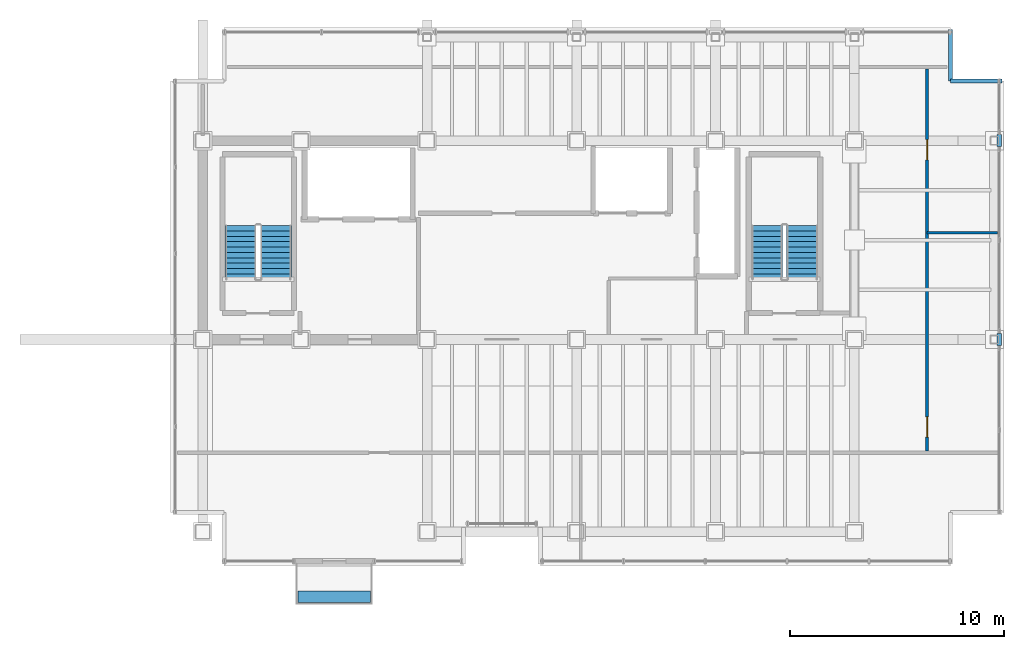
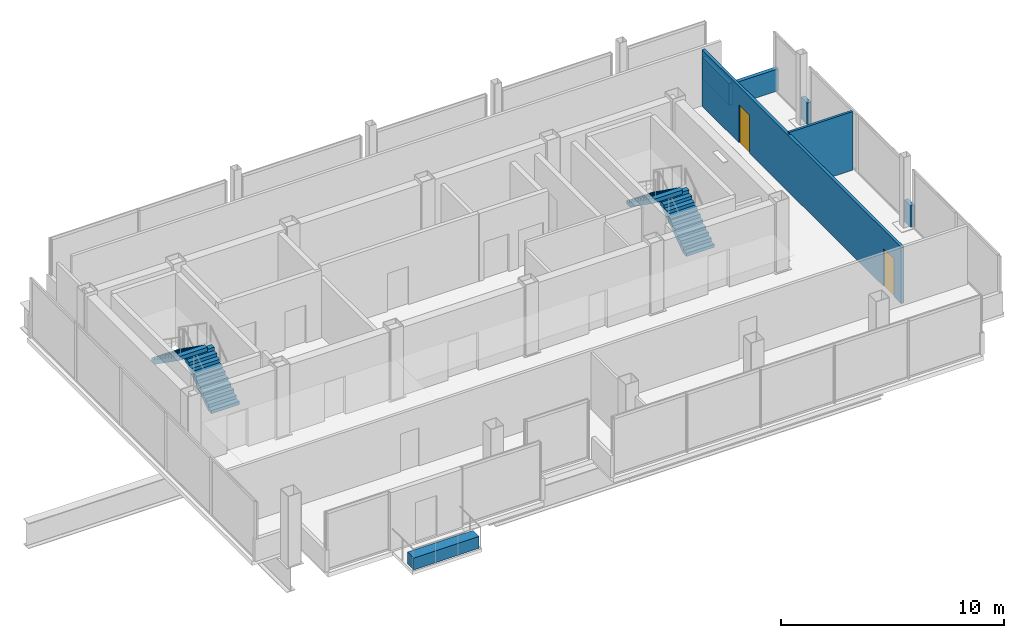
# One storey, part 16 of 17: 6 walls, 4 stair flights, 2 doors, 1 discrete accessory, 2 openings, 2 elements without a shape of their own.
"""IFC4 building model written with IfcOpenShell, lengths in metres."""

from ifc_helpers import new_model, si_unit, direction, frame, frame_2d, origin, origin_2d, place, context, subcontext, project, spatial, polyline, rectangle, outline, extrude, material, layer, layer_set, type_object, element, fill, aggregate, save


model = new_model("IFC4")

# Units and contexts
model_context = context("Model", 3, precision=1e-05, world=origin(), true_north=direction((0.0, 1.0)))
body_context = subcontext(model_context, "Body", "Model", "MODEL_VIEW")
ifc_project = project(units=[si_unit("LENGTHUNIT", "METRE"), si_unit("AREAUNIT", "SQUARE_METRE"), si_unit("VOLUMEUNIT", "CUBIC_METRE"), si_unit("PLANEANGLEUNIT", "RADIAN"), si_unit("MASSUNIT", "GRAM", prefix="KILO")], contexts=[model_context])

# Site, building, storey
site_placement = place(None, origin())
site = spatial("IfcSite", under=ifc_project, at=site_placement, CompositionType="ELEMENT")
building_placement = place(site_placement, origin())
building = spatial("IfcBuilding", under=site, at=building_placement, Name="Noeulbin Bourse Tower", CompositionType="ELEMENT")
storey_placement = place(building_placement, frame((0.0, 0.0, 281.300048828125)))
storey = spatial("IfcBuildingStorey", under=building, at=storey_placement, Name="L70", CompositionType="ELEMENT", Elevation=281.300048828125)

# Walls
ifc_material_1 = material(Name="Concrete C40/50", Category="concrete")
ifc_layer_1 = layer(ifc_material_1, 0.199951171875)
ifc_layer_set_1 = layer_set([ifc_layer_1], Name="Concrete C40/50")
wall_type_1 = type_object("IfcWallType", Name="WAL-PAR-200", PredefinedType="PARAPET", material=ifc_layer_set_1)
for number, where, z_axis, x_axis, name in (
    (1, (50.780029296875, 28.719970703125, 0.0), (0.0, 0.0, 1.0), (0.0, 1.0, 0.0), "Perimeter Pier Spandrel Parapet L70-E5"),
    (2, (50.780029296875, 38.02001953125, 0.0), (0.0, 0.0, 1.0), (0.0, 1.0, 0.0), "Perimeter Pier Spandrel Parapet L70-E6"),
):
    element("IfcWall", number, at=place(storey_placement, frame(where, z_axis=z_axis, x_axis=x_axis)), inside=storey, type_object=wall_type_1, Name=name, PredefinedType="PARAPET", context=body_context, shape_type="SweptSolid", body=[
        extrude(rectangle(XDim=0.56005859375, YDim=0.199951171875, at=frame_2d((0.280029296875, 0.0))), origin(), (0.0, 0.0, 1.0), 1.199951171875),
    ])
for number, where, z_axis, x_axis, name in (
    (3, (48.5, 43.5, 0.0), (0.0, 0.0, 1.0), (0.0, -1.0, 0.0), "Corner Notch Parapet L70-NE1"),
    (4, (48.5, 41.10009765625, 0.0), (0.0, 0.0, 1.0), (1.0, 0.0, 0.0), "Corner Notch Parapet L70-NE2"),
):
    element("IfcWall", number, at=place(storey_placement, frame(where, z_axis=z_axis, x_axis=x_axis)), inside=storey, type_object=wall_type_1, Name=name, PredefinedType="PARAPET", context=body_context, shape_type="SweptSolid", body=[
        extrude(rectangle(XDim=2.39990234375, YDim=0.199951171875, at=frame_2d((1.199951171875, 0.0))), origin(), (0.0, 0.0, 1.0), 1.199951171875),
    ])
ifc_material_2 = material(Name="Steel Stud Gypsum Partition", Category="steel")
ifc_layer_2 = layer(ifc_material_2, 0.1201171875)
ifc_layer_set_2 = layer_set([ifc_layer_2], Name="Steel Stud Gypsum Partition")
wall_type_2 = type_object("IfcWallType", Name="WAL-PRT-120", PredefinedType="PARTITIONING", material=ifc_layer_set_2)
wall_1_placement = place(storey_placement, frame((47.39990234375, 34.0, 0.0), z_axis=(0.0, 0.0, 1.0), x_axis=(1.0, 0.0, 0.0)))
element("IfcWall", 5, at=wall_1_placement, inside=storey, type_object=wall_type_2, Name="Interior Partition Wall L70-05", PredefinedType="PARTITIONING", context=body_context, shape_type="SweptSolid", body=[
    extrude(rectangle(XDim=3.2900390625, YDim=0.1201171875, at=frame_2d((1.64501953125, 0.0))), origin(), (0.0, 0.0, 1.0), 3.2119140625),
])

# Wall, openings, doors
ifc_material_3 = material(Name="Steel Stud Acoustic Gypsum Board", Category="steel")
ifc_layer_3 = layer(ifc_material_3, 0.14990234375)
ifc_layer_set_3 = layer_set([ifc_layer_3], Name="Steel Stud Acoustic Gypsum Board")
wall_type_3 = type_object("IfcWallType", Name="WAL-PRT-150", PredefinedType="PARTITIONING", material=ifc_layer_set_3)
wall_2_placement = place(storey_placement, frame((47.39990234375, 23.784912109375, 0.0), z_axis=(0.0, 0.0, 1.0), x_axis=(0.0, 1.0, 0.0)))
wall_2 = element("IfcWall", 6, at=wall_2_placement, inside=storey, type_object=wall_type_3, Name="Interior Partition Wall L70-12", PredefinedType="PARTITIONING", context=body_context, shape_type="SweptSolid", body=[
    extrude(rectangle(XDim=17.880126953125, YDim=0.14990234375, at=frame_2d((8.93994140625, 0.0))), origin(), (0.0, 0.0, 1.0), 3.099853515625),
])
opening_1_placement = place(wall_2_placement, frame((0.639892578125, 0.0, 0.0)))
opening_1 = element("IfcOpeningElement", 7, at=opening_1_placement, cuts=wall_2, Name="Opening ID-09", PredefinedType="OPENING", context=body_context, shape_type="SweptSolid", body=[
    extrude(rectangle(XDim=0.949951171875, YDim=2.080078125, at=frame_2d((0.47509765625, 1.0400390625))), frame((0.0, 0.0849609375, 0.0), z_axis=(0.0, -1.0, 0.0), x_axis=(1.0, 0.0, 0.0)), (0.0, 0.0, 1.0), 0.169921875),
])
opening_2_placement = place(wall_2_placement, frame((13.614990234375, 0.0, 0.0)))
opening_2 = element("IfcOpeningElement", 8, at=opening_2_placement, cuts=wall_2, Name="Opening ID-09", PredefinedType="OPENING", context=body_context, shape_type="SweptSolid", body=[
    extrude(rectangle(XDim=0.949951171875, YDim=2.080078125, at=frame_2d((0.47509765625, 1.0400390625))), frame((0.0, 0.0849609375, 0.0), z_axis=(0.0, -1.0, 0.0), x_axis=(1.0, 0.0, 0.0)), (0.0, 0.0, 1.0), 0.169921875),
])
ifc_material_4 = material(Name="Acoustic Solid-Core Timber", Category="wood")
door_type = type_object("IfcDoorType", Name="DR-SINGLE-950", OperationType="SINGLE_SWING_LEFT", PredefinedType="DOOR", material=ifc_material_4)
door_1_placement = place(opening_1_placement, origin())
door_1 = element("IfcDoor", 9, at=door_1_placement, inside=storey, type_object=door_type, Name="Interior Door L70-09", OperationType="SINGLE_SWING_LEFT", OverallHeight=2.080078125, OverallWidth=0.949951171875, PredefinedType="DOOR", context=body_context, shape_type="SweptSolid", body=[
    extrude(rectangle(XDim=0.949951171875, YDim=2.080078125, at=frame_2d((0.47509765625, 1.0400390625))), frame((0.0, 0.02490234375, 0.0), z_axis=(0.0, -1.0, 0.0), x_axis=(1.0, 0.0, 0.0)), (0.0, 0.0, 1.0), 0.050048828125),
])
fill(opening_1, door_1)
door_2_placement = place(opening_2_placement, origin())
door_2 = element("IfcDoor", 10, at=door_2_placement, inside=storey, type_object=door_type, Name="Interior Door L70-10", OperationType="SINGLE_SWING_RIGHT", OverallHeight=2.080078125, OverallWidth=0.949951171875, PredefinedType="DOOR", context=body_context, shape_type="SweptSolid", body=[
    extrude(rectangle(XDim=0.949951171875, YDim=2.080078125, at=frame_2d((0.47509765625, 1.0400390625))), frame((0.0, 0.02490234375, 0.0), z_axis=(0.0, -1.0, 0.0), x_axis=(1.0, 0.0, 0.0)), (0.0, 0.0, 1.0), 0.050048828125),
])
fill(opening_2, door_2)

# Stair, stair flights
stair_type = type_object("IfcStairType", Name="STR-CORE-1560", PredefinedType="HALF_TURN_STAIR", material=ifc_material_1)
stair_1_placement = place(storey_placement, origin())
stair_1 = element("IfcStair", 11, at=stair_1_placement, inside=storey, type_object=stair_type, Name="L70 ST-1", PredefinedType="HALF_TURN_STAIR")
stair_flight_type = type_object("IfcStairFlightType", Name="SFL-CORE-1560", PredefinedType="STRAIGHT", material=ifc_material_1)
stair_flight_1_placement = place(storey_placement, frame((16.925048828125, 31.81005859375, 0.0), z_axis=(0.0, 0.0, 1.0), x_axis=(0.0, 1.0, 0.0)))
stair_flight_1 = element("IfcStairFlight", 12, at=stair_flight_1_placement, type_object=stair_flight_type, Name="ST-1 flight 1", NumberOfRisers=11, NumberOfTreads=10, PredefinedType="STRAIGHT", RiserHeight=0.177272727, TreadLength=0.252, context=body_context, shape_type="SweptSolid", body=[
    extrude(outline(polyline([(0.0, 0.0), (0.0, 0.17724609375), (0.251953125, 0.17724609375), (0.251953125, 0.3544921875), (0.50390625, 0.3544921875), (0.50390625, 0.53173828125), (0.756103515625, 0.53173828125), (0.756103515625, 0.708984375), (1.008056640625, 0.708984375), (1.008056640625, 0.886474609375), (1.260009765625, 0.886474609375), (1.260009765625, 1.063720703125), (1.511962890625, 1.063720703125), (1.511962890625, 1.240966796875), (1.763916015625, 1.240966796875), (1.763916015625, 1.418212890625), (2.01611328125, 1.418212890625), (2.01611328125, 1.595458984375), (2.26806640625, 1.595458984375), (2.26806640625, 1.772705078125), (2.52001953125, 1.772705078125), (2.52001953125, 1.949951171875), (2.52001953125, 1.552734375), (0.312744140625, 0.0), (0.0, 0.0)])), frame((0.0, 0.72509765625, 0.0), z_axis=(0.0, -1.0, 0.0), x_axis=(1.0, 0.0, 0.0)), (0.0, 0.0, 1.0), 1.449951171875),
])
stair_flight_2_placement = place(storey_placement, frame((15.27490234375, 34.330078125, 1.949951171875), z_axis=(0.0, 0.0, 1.0), x_axis=(0.0, -1.0, 0.0)))
stair_flight_2 = element("IfcStairFlight", 13, at=stair_flight_2_placement, type_object=stair_flight_type, Name="ST-1 flight 2", NumberOfRisers=11, NumberOfTreads=10, PredefinedType="STRAIGHT", RiserHeight=0.177272727, TreadLength=0.252, context=body_context, shape_type="SweptSolid", body=[
    extrude(outline(polyline([(0.0, 0.0), (0.0, 0.17724609375), (0.251953125, 0.17724609375), (0.251953125, 0.3544921875), (0.50390625, 0.3544921875), (0.50390625, 0.53173828125), (0.756103515625, 0.53173828125), (0.756103515625, 0.708984375), (1.008056640625, 0.708984375), (1.008056640625, 0.886474609375), (1.260009765625, 0.886474609375), (1.260009765625, 1.063720703125), (1.511962890625, 1.063720703125), (1.511962890625, 1.240966796875), (1.763916015625, 1.240966796875), (1.763916015625, 1.418212890625), (2.01611328125, 1.418212890625), (2.01611328125, 1.595458984375), (2.26806640625, 1.595458984375), (2.26806640625, 1.772705078125), (2.52001953125, 1.772705078125), (2.52001953125, 1.949951171875), (2.52001953125, 1.552734375), (0.312744140625, 0.0), (0.0, 0.0)])), frame((0.0, 0.72509765625, 0.0), z_axis=(0.0, -1.0, 0.0), x_axis=(1.0, 0.0, 0.0)), (0.0, 0.0, 1.0), 1.449951171875),
])
aggregate(stair_1, [stair_flight_1, stair_flight_2])

stair_2_placement = place(storey_placement, origin())
stair_2 = element("IfcStair", 14, at=stair_2_placement, inside=storey, type_object=stair_type, Name="L70 ST-2", PredefinedType="HALF_TURN_STAIR")
stair_flight_3_placement = place(storey_placement, frame((41.554931640625, 31.81005859375, 0.0), z_axis=(0.0, 0.0, 1.0), x_axis=(0.0, 1.0, 0.0)))
stair_flight_3 = element("IfcStairFlight", 15, at=stair_flight_3_placement, type_object=stair_flight_type, Name="ST-2 flight 1", NumberOfRisers=11, NumberOfTreads=10, PredefinedType="STRAIGHT", RiserHeight=0.177272727, TreadLength=0.252, context=body_context, shape_type="SweptSolid", body=[
    extrude(outline(polyline([(0.0, 0.0), (0.0, 0.17724609375), (0.251953125, 0.17724609375), (0.251953125, 0.3544921875), (0.50390625, 0.3544921875), (0.50390625, 0.53173828125), (0.756103515625, 0.53173828125), (0.756103515625, 0.708984375), (1.008056640625, 0.708984375), (1.008056640625, 0.886474609375), (1.260009765625, 0.886474609375), (1.260009765625, 1.063720703125), (1.511962890625, 1.063720703125), (1.511962890625, 1.240966796875), (1.763916015625, 1.240966796875), (1.763916015625, 1.418212890625), (2.01611328125, 1.418212890625), (2.01611328125, 1.595458984375), (2.26806640625, 1.595458984375), (2.26806640625, 1.772705078125), (2.52001953125, 1.772705078125), (2.52001953125, 1.949951171875), (2.52001953125, 1.552734375), (0.312744140625, 0.0), (0.0, 0.0)])), frame((0.0, 0.72509765625, 0.0), z_axis=(0.0, -1.0, 0.0), x_axis=(1.0, 0.0, 0.0)), (0.0, 0.0, 1.0), 1.449951171875),
])
stair_flight_4_placement = place(storey_placement, frame((39.905029296875, 34.330078125, 1.949951171875), z_axis=(0.0, 0.0, 1.0), x_axis=(0.0, -1.0, 0.0)))
stair_flight_4 = element("IfcStairFlight", 16, at=stair_flight_4_placement, type_object=stair_flight_type, Name="ST-2 flight 2", NumberOfRisers=11, NumberOfTreads=10, PredefinedType="STRAIGHT", RiserHeight=0.177272727, TreadLength=0.252, context=body_context, shape_type="SweptSolid", body=[
    extrude(outline(polyline([(0.0, 0.0), (0.0, 0.17724609375), (0.251953125, 0.17724609375), (0.251953125, 0.3544921875), (0.50390625, 0.3544921875), (0.50390625, 0.53173828125), (0.756103515625, 0.53173828125), (0.756103515625, 0.708984375), (1.008056640625, 0.708984375), (1.008056640625, 0.886474609375), (1.260009765625, 0.886474609375), (1.260009765625, 1.063720703125), (1.511962890625, 1.063720703125), (1.511962890625, 1.240966796875), (1.763916015625, 1.240966796875), (1.763916015625, 1.418212890625), (2.01611328125, 1.418212890625), (2.01611328125, 1.595458984375), (2.26806640625, 1.595458984375), (2.26806640625, 1.772705078125), (2.52001953125, 1.772705078125), (2.52001953125, 1.949951171875), (2.52001953125, 1.552734375), (0.312744140625, 0.0), (0.0, 0.0)])), frame((0.0, 0.72509765625, 0.0), z_axis=(0.0, -1.0, 0.0), x_axis=(1.0, 0.0, 0.0)), (0.0, 0.0, 1.0), 1.449951171875),
])
aggregate(stair_2, [stair_flight_3, stair_flight_4])

# Discrete accessory
ifc_material_5 = material(Name="Architectural GFRC Concrete C40/50", Category="concrete")
ifc_layer_4 = layer(ifc_material_5, 0.64990234375)
ifc_layer_set_4 = layer_set([ifc_layer_4], Name="Architectural GFRC Concrete C40/50")
discrete_accessory_type = type_object("IfcDiscreteAccessoryType", Name="PLANTER-BOX-3600", PredefinedType="USERDEFINED", material=ifc_layer_set_4)
discrete_accessory_placement = place(storey_placement, frame((19.64990234375, 16.9599609375, 0.0), z_axis=(0.0, 0.0, 1.0), x_axis=(1.0, 0.0, 0.0)))
element("IfcDiscreteAccessory", 17, at=discrete_accessory_placement, inside=storey, type_object=discrete_accessory_type, Name="Integrated Balcony Tree Planter Box L70", ObjectType="PLANTER", PredefinedType="USERDEFINED", context=body_context, shape_type="SweptSolid", body=[
    extrude(rectangle(XDim=3.39990234375, YDim=0.550048828125, at=origin_2d()), origin(), (0.0, 0.0, 1.0), 0.64990234375),
])

save(model, "model.ifc")
